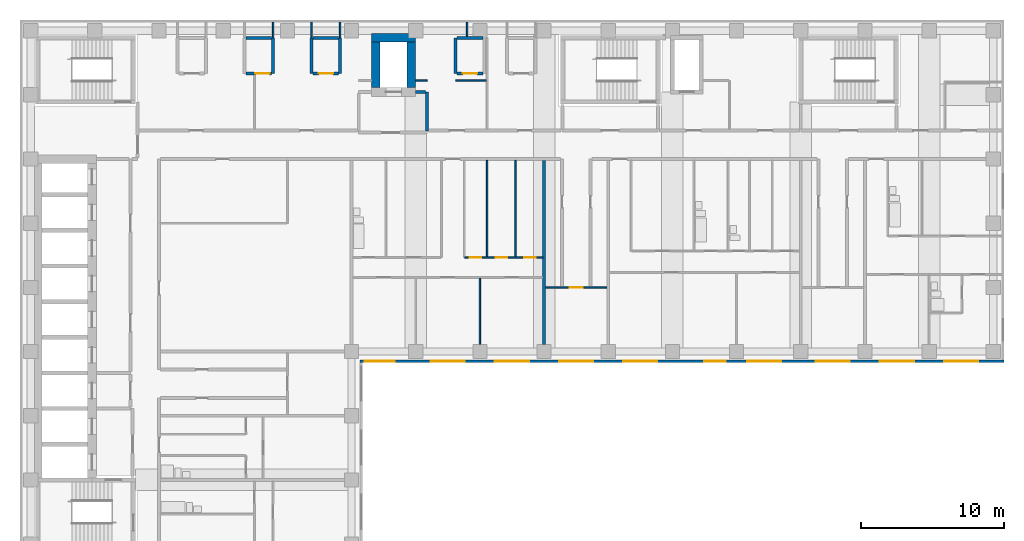
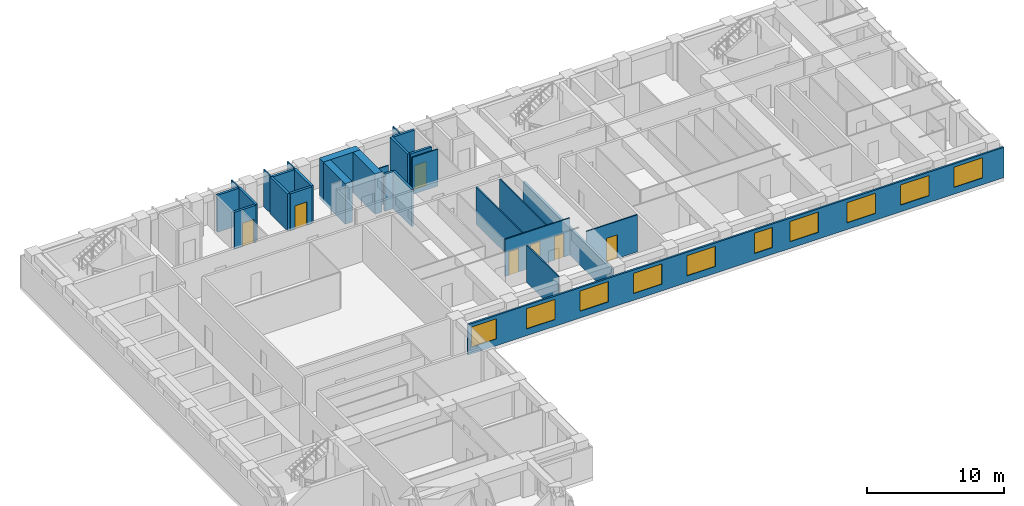
# One storey, part 6 of 11: 28 walls, 10 windows, 7 doors, 17 openings.
"""IFC4 building model written with IfcOpenShell, lengths in metres."""

from ifc_helpers import new_model, si_unit, direction, frame, frame_2d, origin, place, context, subcontext, project, spatial, rectangle, extrude, material, layer, layer_set, type_object, element, fill, save


model = new_model("IFC4")

# Units and contexts
model_context = context("Model", 3, precision=1e-05, world=origin(), true_north=direction((0.0, 1.0)))
body_context = subcontext(model_context, "Body", "Model", "MODEL_VIEW")
ifc_project = project(units=[si_unit("LENGTHUNIT", "METRE"), si_unit("AREAUNIT", "SQUARE_METRE"), si_unit("VOLUMEUNIT", "CUBIC_METRE"), si_unit("PLANEANGLEUNIT", "RADIAN"), si_unit("MASSUNIT", "GRAM", prefix="KILO")], contexts=[model_context])

# Site, building, storey
site_placement = place(None, origin())
site = spatial("IfcSite", under=ifc_project, at=site_placement, CompositionType="ELEMENT")
building_placement = place(site_placement, origin())
building = spatial("IfcBuilding", under=site, at=building_placement, Name="Firuza Court", CompositionType="ELEMENT")
storey_placement = place(building_placement, frame((0.0, 0.0, 134.0)))
storey = spatial("IfcBuildingStorey", under=building, at=storey_placement, Name="L33", CompositionType="ELEMENT", Elevation=134.0)

# Walls
ifc_material_1 = material(Name="Concrete C60/75", Category="concrete")
ifc_layer_1 = layer(ifc_material_1, 0.60009765625)
ifc_layer_set_1 = layer_set([ifc_layer_1], Name="Concrete C60/75")
wall_type_1 = type_object("IfcWallType", Name="Core wall 600 C60/75", PredefinedType="SHEAR", material=ifc_layer_set_1)
wall_1_placement = place(storey_placement, frame((23.89990234375, 58.0, -0.300048828125), z_axis=(0.0, 0.0, 1.0), x_axis=(1.0, 0.0, 0.0)))
element("IfcWall", 1, at=wall_1_placement, inside=storey, type_object=wall_type_1, Name="Core wall lift shaft L33", PredefinedType="SHEAR", context=body_context, shape_type="SweptSolid", body=[
    extrude(rectangle(XDim=3.10009765625, YDim=0.60009765625, at=frame_2d((1.550048828125, 0.0))), origin(), (0.0, 0.0, 1.0), 3.60009765625),
])
for number, where, z_axis, x_axis, name in (
    (2, (24.199951171875, 54.5, -0.300048828125), (0.0, 0.0, 1.0), (0.0, 1.0, 0.0), "Core wall lift shaft L33"),
    (3, (26.699951171875, 54.5, -0.300048828125), (0.0, 0.0, 1.0), (0.0, 1.0, 0.0), "Core wall lift shaft L33"),
):
    element("IfcWall", number, at=place(storey_placement, frame(where, z_axis=z_axis, x_axis=x_axis)), inside=storey, type_object=wall_type_1, Name=name, PredefinedType="SHEAR", context=body_context, shape_type="SweptSolid", body=[
        extrude(rectangle(XDim=3.199951171875, YDim=0.60009765625, at=frame_2d((1.60009765625, 0.0))), origin(), (0.0, 0.0, 1.0), 3.60009765625),
    ])
ifc_material_2 = material(Name="Timber stud partition, plasterboard both sides", Category="wood")
ifc_layer_2 = layer(ifc_material_2, 0.10009765625)
ifc_layer_set_2 = layer_set([ifc_layer_2], Name="Timber stud partition, plasterboard both sides")
wall_type_2 = type_object("IfcWallType", Name="Partition wall 100", PredefinedType="PARTITIONING", material=ifc_layer_set_2)
wall_2_placement = place(storey_placement, frame((31.5, 36.5, 0.0), z_axis=(0.0, 0.0, 1.0), x_axis=(0.0, 1.0, 0.0)))
element("IfcWall", 4, at=wall_2_placement, inside=storey, type_object=wall_type_2, Name="Partition wall 100 L33", PredefinedType="PARTITIONING", context=body_context, shape_type="SweptSolid", body=[
    extrude(rectangle(XDim=4.64990234375, YDim=0.10009765625, at=frame_2d((2.324951171875, 0.0))), origin(), (0.0, 0.0, 1.0), 3.300048828125),
])

# Wall, opening, door
wall_3_placement = place(storey_placement, frame((36.10009765625, 40.5, 0.0), z_axis=(0.0, 0.0, 1.0), x_axis=(1.0, 0.0, 0.0)))
wall_3 = element("IfcWall", 5, at=wall_3_placement, inside=storey, type_object=wall_type_2, Name="Partition wall 100 L33", PredefinedType="PARTITIONING", context=body_context, shape_type="SweptSolid", body=[
    extrude(rectangle(XDim=4.2998046875, YDim=0.10009765625, at=frame_2d((2.14990234375, 0.0))), origin(), (0.0, 0.0, 1.0), 3.300048828125),
])
opening_1_placement = place(wall_3_placement, frame((1.699951171875, 0.0, 0.0)))
opening_1 = element("IfcOpeningElement", 6, at=opening_1_placement, cuts=wall_3, Name="Opening D33039", PredefinedType="OPENING", context=body_context, shape_type="SweptSolid", body=[
    extrude(rectangle(XDim=0.89990234375, YDim=2.10009765625, at=frame_2d((0.449951171875, 1.050048828125))), frame((0.0, 0.06201171875, 0.0), z_axis=(0.0, -1.0, 0.0), x_axis=(1.0, 0.0, 0.0)), (0.0, 0.0, 1.0), 0.1240234375),
])
ifc_material_3 = material(Name="Timber door leaf in hardwood frame", Category="wood")
door_type_1 = type_object("IfcDoorType", Name="Room door 900", OperationType="SINGLE_SWING_LEFT", PredefinedType="DOOR", material=ifc_material_3)
door_1_placement = place(opening_1_placement, origin())
door_1 = element("IfcDoor", 7, at=door_1_placement, inside=storey, type_object=door_type_1, Name="Reading lounge door", OperationType="SINGLE_SWING_LEFT", OverallHeight=2.10009765625, OverallWidth=0.89990234375, PredefinedType="DOOR", context=body_context, shape_type="SweptSolid", body=[
    extrude(rectangle(XDim=0.89990234375, YDim=2.10009765625, at=frame_2d((0.449951171875, 1.050048828125))), frame((0.0, 0.02490234375, 0.0), z_axis=(0.0, -1.0, 0.0), x_axis=(1.0, 0.0, 0.0)), (0.0, 0.0, 1.0), 0.050048828125),
])
fill(opening_1, door_1)

# Wall, openings, doors
wall_4_placement = place(storey_placement, frame((30.449951171875, 42.60009765625, 0.0), z_axis=(0.0, 0.0, 1.0), x_axis=(1.0, 0.0, 0.0)))
wall_4 = element("IfcWall", 8, at=wall_4_placement, inside=storey, type_object=wall_type_2, Name="Partition wall 100 L33", PredefinedType="PARTITIONING", context=body_context, shape_type="SweptSolid", body=[
    extrude(rectangle(XDim=5.449951171875, YDim=0.10009765625, at=frame_2d((2.72509765625, 0.0))), origin(), (0.0, 0.0, 1.0), 3.300048828125),
])
opening_2_placement = place(wall_4_placement, frame((4.14990234375, 0.0, 0.0)))
opening_2 = element("IfcOpeningElement", 9, at=opening_2_placement, cuts=wall_4, Name="Opening D33054", PredefinedType="OPENING", context=body_context, shape_type="SweptSolid", body=[
    extrude(rectangle(XDim=0.800048828125, YDim=2.10009765625, at=frame_2d((0.39990234375, 1.050048828125))), frame((0.0, 0.06201171875, 0.0), z_axis=(0.0, -1.0, 0.0), x_axis=(1.0, 0.0, 0.0)), (0.0, 0.0, 1.0), 0.1240234375),
])
opening_3_placement = place(wall_4_placement, frame((0.35009765625, 0.0, 0.0)))
opening_3 = element("IfcOpeningElement", 10, at=opening_3_placement, cuts=wall_4, Name="Opening D33055", PredefinedType="OPENING", context=body_context, shape_type="SweptSolid", body=[
    extrude(rectangle(XDim=0.800048828125, YDim=2.10009765625, at=frame_2d((0.39990234375, 1.050048828125))), frame((0.0, 0.06201171875, 0.0), z_axis=(0.0, -1.0, 0.0), x_axis=(1.0, 0.0, 0.0)), (0.0, 0.0, 1.0), 0.1240234375),
])
opening_4_placement = place(wall_4_placement, frame((2.14990234375, 0.0, 0.0)))
opening_4 = element("IfcOpeningElement", 11, at=opening_4_placement, cuts=wall_4, Name="Opening D33056", PredefinedType="OPENING", context=body_context, shape_type="SweptSolid", body=[
    extrude(rectangle(XDim=0.800048828125, YDim=2.10009765625, at=frame_2d((0.39990234375, 1.050048828125))), frame((0.0, 0.06201171875, 0.0), z_axis=(0.0, -1.0, 0.0), x_axis=(1.0, 0.0, 0.0)), (0.0, 0.0, 1.0), 0.1240234375),
])
ifc_material_4 = material(Name="Timber door leaf in hardwood frame", Category="wood")
door_type_2 = type_object("IfcDoorType", Name="Room door 800", OperationType="SINGLE_SWING_LEFT", PredefinedType="DOOR", material=ifc_material_4)
door_2_placement = place(opening_2_placement, origin())
door_2 = element("IfcDoor", 12, at=door_2_placement, inside=storey, type_object=door_type_2, Name="Pantry door", OperationType="SINGLE_SWING_LEFT", OverallHeight=2.10009765625, OverallWidth=0.800048828125, PredefinedType="DOOR", context=body_context, shape_type="SweptSolid", body=[
    extrude(rectangle(XDim=0.800048828125, YDim=2.10009765625, at=frame_2d((0.39990234375, 1.050048828125))), frame((0.0, 0.02490234375, 0.0), z_axis=(0.0, -1.0, 0.0), x_axis=(1.0, 0.0, 0.0)), (0.0, 0.0, 1.0), 0.050048828125),
])
fill(opening_2, door_2)
door_3_placement = place(opening_3_placement, origin())
door_3 = element("IfcDoor", 13, at=door_3_placement, inside=storey, type_object=door_type_2, Name="Store door", OperationType="SINGLE_SWING_LEFT", OverallHeight=2.10009765625, OverallWidth=0.800048828125, PredefinedType="DOOR", context=body_context, shape_type="SweptSolid", body=[
    extrude(rectangle(XDim=0.800048828125, YDim=2.10009765625, at=frame_2d((0.39990234375, 1.050048828125))), frame((0.0, 0.02490234375, 0.0), z_axis=(0.0, -1.0, 0.0), x_axis=(1.0, 0.0, 0.0)), (0.0, 0.0, 1.0), 0.050048828125),
])
fill(opening_3, door_3)
door_4_placement = place(opening_4_placement, origin())
door_4 = element("IfcDoor", 14, at=door_4_placement, inside=storey, type_object=door_type_2, Name="Utility room door", OperationType="SINGLE_SWING_LEFT", OverallHeight=2.10009765625, OverallWidth=0.800048828125, PredefinedType="DOOR", context=body_context, shape_type="SweptSolid", body=[
    extrude(rectangle(XDim=0.800048828125, YDim=2.10009765625, at=frame_2d((0.39990234375, 1.050048828125))), frame((0.0, 0.02490234375, 0.0), z_axis=(0.0, -1.0, 0.0), x_axis=(1.0, 0.0, 0.0)), (0.0, 0.0, 1.0), 0.050048828125),
])
fill(opening_4, door_4)

# Walls
for number, where, z_axis, x_axis, name in (
    (15, (32.0, 42.64990234375, 0.0), (0.0, 0.0, 1.0), (0.0, 1.0, 0.0), "Partition wall 100 L33"),
    (16, (34.0, 42.64990234375, 0.0), (0.0, 0.0, 1.0), (0.0, 1.0, 0.0), "Partition wall 100 L33"),
):
    element("IfcWall", number, at=place(storey_placement, frame(where, z_axis=z_axis, x_axis=x_axis)), inside=storey, type_object=wall_type_2, Name=name, PredefinedType="PARTITIONING", context=body_context, shape_type="SweptSolid", body=[
        extrude(rectangle(XDim=6.75, YDim=0.10009765625, at=frame_2d((3.375, 0.0))), origin(), (0.0, 0.0, 1.0), 3.300048828125),
    ])
wall_5_placement = place(storey_placement, frame((27.0, 55.0, 0.0), z_axis=(0.0, 0.0, 1.0), x_axis=(1.0, 0.0, 0.0)))
element("IfcWall", 17, at=wall_5_placement, inside=storey, type_object=wall_type_2, Name="Partition wall 100 L33", PredefinedType="PARTITIONING", context=body_context, shape_type="SweptSolid", body=[
    extrude(rectangle(XDim=0.800048828125, YDim=0.10009765625, at=frame_2d((0.39990234375, 0.0))), origin(), (0.0, 0.0, 1.0), 3.300048828125),
])
wall_6_placement = place(storey_placement, frame((29.800048828125, 55.0, 0.0), z_axis=(0.0, 0.0, 1.0), x_axis=(1.0, 0.0, 0.0)))
element("IfcWall", 18, at=wall_6_placement, inside=storey, type_object=wall_type_2, Name="Partition wall 100 L33", PredefinedType="PARTITIONING", context=body_context, shape_type="SweptSolid", body=[
    extrude(rectangle(XDim=2.14990234375, YDim=0.10009765625, at=frame_2d((1.074951171875, 0.0))), origin(), (0.0, 0.0, 1.0), 3.300048828125),
])
for number, where, z_axis, x_axis, name in (
    (19, (17.0, 58.0, 0.0), (0.0, 0.0, 1.0), (0.0, 1.0, 0.0), "Partition wall 100 L33"),
    (20, (19.699951171875, 58.0, 0.0), (0.0, 0.0, 1.0), (0.0, 1.0, 0.0), "Partition wall 100 L33"),
    (21, (21.699951171875, 58.0, 0.0), (0.0, 0.0, 1.0), (0.0, 1.0, 0.0), "Partition wall 100 L33"),
):
    element("IfcWall", number, at=place(storey_placement, frame(where, z_axis=z_axis, x_axis=x_axis)), inside=storey, type_object=wall_type_2, Name=name, PredefinedType="PARTITIONING", context=body_context, shape_type="SweptSolid", body=[
        extrude(rectangle(XDim=1.10009765625, YDim=0.10009765625, at=frame_2d((0.550048828125, 0.0))), origin(), (0.0, 0.0, 1.0), 3.300048828125),
    ])
wall_7_placement = place(storey_placement, frame((30.60009765625, 58.10009765625, 0.0), z_axis=(0.0, 0.0, 1.0), x_axis=(0.0, 1.0, 0.0)))
element("IfcWall", 22, at=wall_7_placement, inside=storey, type_object=wall_type_2, Name="Partition wall 100 L33", PredefinedType="PARTITIONING", context=body_context, shape_type="SweptSolid", body=[
    extrude(rectangle(XDim=1.0, YDim=0.10009765625, at=frame_2d((0.5, 0.0))), origin(), (0.0, 0.0, 1.0), 3.300048828125),
])
ifc_material_5 = material(Name="Blockwork, plastered both sides", Category="masonry")
ifc_layer_3 = layer(ifc_material_5, 0.199951171875)
ifc_layer_set_3 = layer_set([ifc_layer_3], Name="Blockwork, plastered both sides")
wall_type_3 = type_object("IfcWallType", Name="Party wall 200", PredefinedType="PARTITIONING", material=ifc_layer_set_3)
wall_8_placement = place(storey_placement, frame((36.0, 36.5, 0.0), z_axis=(0.0, 0.0, 1.0), x_axis=(0.0, 1.0, 0.0)))
element("IfcWall", 23, at=wall_8_placement, inside=storey, type_object=wall_type_3, Name="Party wall 200 L33", PredefinedType="PARTITIONING", context=body_context, shape_type="SweptSolid", body=[
    extrude(rectangle(XDim=12.89990234375, YDim=0.199951171875, at=frame_2d((6.449951171875, 0.0))), origin(), (0.0, 0.0, 1.0), 2.39990234375),
])

# Wall, opening, door
ifc_material_6 = material(Name="Blockwork, fire-rated", Category="masonry")
ifc_layer_4 = layer(ifc_material_6, 0.199951171875)
ifc_layer_set_4 = layer_set([ifc_layer_4], Name="Blockwork, fire-rated")
wall_type_4 = type_object("IfcWallType", Name="Plant room wall 200", PredefinedType="PARTITIONING", material=ifc_layer_set_4)
wall_9_placement = place(storey_placement, frame((15.10009765625, 55.5, 0.0), z_axis=(0.0, 0.0, 1.0), x_axis=(1.0, 0.0, 0.0)))
wall_9 = element("IfcWall", 24, at=wall_9_placement, inside=storey, type_object=wall_type_4, Name="Plant room wall 200 L33", PredefinedType="PARTITIONING", context=body_context, shape_type="SweptSolid", body=[
    extrude(rectangle(XDim=1.7998046875, YDim=0.199951171875, at=frame_2d((0.89990234375, 0.0))), origin(), (0.0, 0.0, 1.0), 3.300048828125),
])
opening_5_placement = place(wall_9_placement, frame((0.64990234375, 0.0, 0.0)))
opening_5 = element("IfcOpeningElement", 25, at=opening_5_placement, cuts=wall_9, Name="Opening D33077", PredefinedType="OPENING", context=body_context, shape_type="SweptSolid", body=[
    extrude(rectangle(XDim=1.0, YDim=2.10009765625, at=frame_2d((0.5, 1.050048828125))), frame((0.0, 0.11181640625, 0.0), z_axis=(0.0, -1.0, 0.0), x_axis=(1.0, 0.0, 0.0)), (0.0, 0.0, 1.0), 0.223876953125),
])
ifc_material_7 = material(Name="Timber door leaf in hardwood frame", Category="wood")
door_type_3 = type_object("IfcDoorType", Name="Riser door 1000", OperationType="SINGLE_SWING_LEFT", PredefinedType="DOOR", material=ifc_material_7)
door_5_placement = place(opening_5_placement, origin())
door_5 = element("IfcDoor", 26, at=door_5_placement, inside=storey, type_object=door_type_3, Name="Electrical riser door", OperationType="SINGLE_SWING_RIGHT", OverallHeight=2.10009765625, OverallWidth=1.0, PredefinedType="DOOR", context=body_context, shape_type="SweptSolid", body=[
    extrude(rectangle(XDim=1.0, YDim=2.10009765625, at=frame_2d((0.5, 1.050048828125))), frame((0.0, 0.02490234375, 0.0), z_axis=(0.0, -1.0, 0.0), x_axis=(1.0, 0.0, 0.0)), (0.0, 0.0, 1.0), 0.050048828125),
])
fill(opening_5, door_5)

# Walls
for number, where, z_axis, x_axis, name in (
    (27, (17.0, 55.5, 0.0), (0.0, 0.0, 1.0), (0.0, 1.0, 0.0), "Plant room wall 200 L33"),
    (28, (19.699951171875, 55.5, 0.0), (0.0, 0.0, 1.0), (0.0, 1.0, 0.0), "Plant room wall 200 L33"),
):
    element("IfcWall", number, at=place(storey_placement, frame(where, z_axis=z_axis, x_axis=x_axis)), inside=storey, type_object=wall_type_4, Name=name, PredefinedType="PARTITIONING", context=body_context, shape_type="SweptSolid", body=[
        extrude(rectangle(XDim=2.5, YDim=0.199951171875, at=frame_2d((1.25, 0.0))), origin(), (0.0, 0.0, 1.0), 3.300048828125),
    ])

# Wall, opening, door
wall_10_placement = place(storey_placement, frame((19.800048828125, 55.5, 0.0), z_axis=(0.0, 0.0, 1.0), x_axis=(1.0, 0.0, 0.0)))
wall_10 = element("IfcWall", 29, at=wall_10_placement, inside=storey, type_object=wall_type_4, Name="Plant room wall 200 L33", PredefinedType="PARTITIONING", context=body_context, shape_type="SweptSolid", body=[
    extrude(rectangle(XDim=1.800048828125, YDim=0.199951171875, at=frame_2d((0.89990234375, 0.0))), origin(), (0.0, 0.0, 1.0), 3.300048828125),
])
opening_6_placement = place(wall_10_placement, frame((0.39990234375, 0.0, 0.0)))
opening_6 = element("IfcOpeningElement", 30, at=opening_6_placement, cuts=wall_10, Name="Opening D33078", PredefinedType="OPENING", context=body_context, shape_type="SweptSolid", body=[
    extrude(rectangle(XDim=1.0, YDim=2.10009765625, at=frame_2d((0.5, 1.050048828125))), frame((0.0, 0.11181640625, 0.0), z_axis=(0.0, -1.0, 0.0), x_axis=(1.0, 0.0, 0.0)), (0.0, 0.0, 1.0), 0.223876953125),
])
door_6_placement = place(opening_6_placement, origin())
door_6 = element("IfcDoor", 31, at=door_6_placement, inside=storey, type_object=door_type_3, Name="Duct riser door", OperationType="SINGLE_SWING_LEFT", OverallHeight=2.10009765625, OverallWidth=1.0, PredefinedType="DOOR", context=body_context, shape_type="SweptSolid", body=[
    extrude(rectangle(XDim=1.0, YDim=2.10009765625, at=frame_2d((0.5, 1.050048828125))), frame((0.0, 0.02490234375, 0.0), z_axis=(0.0, -1.0, 0.0), x_axis=(1.0, 0.0, 0.0)), (0.0, 0.0, 1.0), 0.050048828125),
])
fill(opening_6, door_6)

# Walls
for number, where, z_axis, x_axis, name in (
    (32, (21.699951171875, 55.5, 0.0), (0.0, 0.0, 1.0), (0.0, 1.0, 0.0), "Plant room wall 200 L33"),
    (33, (29.800048828125, 55.5, 0.0), (0.0, 0.0, 1.0), (0.0, 1.0, 0.0), "Plant room wall 200 L33"),
):
    element("IfcWall", number, at=place(storey_placement, frame(where, z_axis=z_axis, x_axis=x_axis)), inside=storey, type_object=wall_type_4, Name=name, PredefinedType="PARTITIONING", context=body_context, shape_type="SweptSolid", body=[
        extrude(rectangle(XDim=2.5, YDim=0.199951171875, at=frame_2d((1.25, 0.0))), origin(), (0.0, 0.0, 1.0), 3.300048828125),
    ])

# Wall, opening, door
wall_11_placement = place(storey_placement, frame((29.89990234375, 55.5, 0.0), z_axis=(0.0, 0.0, 1.0), x_axis=(1.0, 0.0, 0.0)))
wall_11 = element("IfcWall", 34, at=wall_11_placement, inside=storey, type_object=wall_type_4, Name="Plant room wall 200 L33", PredefinedType="PARTITIONING", context=body_context, shape_type="SweptSolid", body=[
    extrude(rectangle(XDim=1.800048828125, YDim=0.199951171875, at=frame_2d((0.89990234375, 0.0))), origin(), (0.0, 0.0, 1.0), 3.300048828125),
])
opening_7_placement = place(wall_11_placement, frame((0.39990234375, 0.0, 0.0)))
opening_7 = element("IfcOpeningElement", 35, at=opening_7_placement, cuts=wall_11, Name="Opening D33079", PredefinedType="OPENING", context=body_context, shape_type="SweptSolid", body=[
    extrude(rectangle(XDim=1.0, YDim=2.10009765625, at=frame_2d((0.5, 1.050048828125))), frame((0.0, 0.11181640625, 0.0), z_axis=(0.0, -1.0, 0.0), x_axis=(1.0, 0.0, 0.0)), (0.0, 0.0, 1.0), 0.223876953125),
])
door_7_placement = place(opening_7_placement, origin())
door_7 = element("IfcDoor", 36, at=door_7_placement, inside=storey, type_object=door_type_3, Name="Electrical riser door", OperationType="SINGLE_SWING_LEFT", OverallHeight=2.10009765625, OverallWidth=1.0, PredefinedType="DOOR", context=body_context, shape_type="SweptSolid", body=[
    extrude(rectangle(XDim=1.0, YDim=2.10009765625, at=frame_2d((0.5, 1.050048828125))), frame((0.0, 0.02490234375, 0.0), z_axis=(0.0, -1.0, 0.0), x_axis=(1.0, 0.0, 0.0)), (0.0, 0.0, 1.0), 0.050048828125),
])
fill(opening_7, door_7)

# Walls
wall_12_placement = place(storey_placement, frame((15.10009765625, 58.0, 0.0), z_axis=(0.0, 0.0, 1.0), x_axis=(1.0, 0.0, 0.0)))
element("IfcWall", 37, at=wall_12_placement, inside=storey, type_object=wall_type_4, Name="Plant room wall 200 L33", PredefinedType="PARTITIONING", context=body_context, shape_type="SweptSolid", body=[
    extrude(rectangle(XDim=1.7998046875, YDim=0.199951171875, at=frame_2d((0.89990234375, 0.0))), origin(), (0.0, 0.0, 1.0), 3.300048828125),
])
for number, where, z_axis, x_axis, name in (
    (38, (19.800048828125, 58.0, 0.0), (0.0, 0.0, 1.0), (1.0, 0.0, 0.0), "Plant room wall 200 L33"),
    (39, (29.89990234375, 58.0, 0.0), (0.0, 0.0, 1.0), (1.0, 0.0, 0.0), "Plant room wall 200 L33"),
):
    element("IfcWall", number, at=place(storey_placement, frame(where, z_axis=z_axis, x_axis=x_axis)), inside=storey, type_object=wall_type_4, Name=name, PredefinedType="PARTITIONING", context=body_context, shape_type="SweptSolid", body=[
        extrude(rectangle(XDim=1.800048828125, YDim=0.199951171875, at=frame_2d((0.89990234375, 0.0))), origin(), (0.0, 0.0, 1.0), 3.300048828125),
    ])

# Wall, openings, windows
ifc_material_8 = material(Name="Ceramic tile", Category="ceramic")
ifc_layer_5 = layer(ifc_material_8, 0.02001953125)
ifc_material_9 = material(Name="Mineral wool insulation", Category="insulation")
ifc_layer_6 = layer(ifc_material_9, 0.050048828125)
ifc_material_10 = material(Name="Concrete C40/50 precast", Category="concrete")
ifc_layer_7 = layer(ifc_material_10, 0.080078125)
ifc_layer_set_5 = layer_set([ifc_layer_5, ifc_layer_6, ifc_layer_7], Name="Concrete C40/50 precast")
wall_type_5 = type_object("IfcWallType", Name="Precast cladding wall with turquoise TILE PANEL face 150", PredefinedType="STANDARD", material=ifc_layer_set_5)
wall_13_placement = place(storey_placement, frame((23.10009765625, 35.324951171875, 0.0), z_axis=(0.0, 0.0, 1.0), x_axis=(1.0, 0.0, 0.0)))
wall_13 = element("IfcWall", 40, at=wall_13_placement, inside=storey, type_object=wall_type_5, Name="Facade wall L33 S", PredefinedType="STANDARD", context=body_context, shape_type="SweptSolid", body=[
    extrude(rectangle(XDim=45.14990234375, YDim=0.14990234375, at=frame_2d((22.574951171875, 0.0))), origin(), (0.0, 0.0, 1.0), 2.699951171875),
])
opening_8_placement = place(wall_13_placement, frame((0.311767578125, 0.0, 0.60009765625)))
opening_8 = element("IfcOpeningElement", 41, at=opening_8_placement, cuts=wall_13, Name="Opening W6", PredefinedType="OPENING", context=body_context, shape_type="SweptSolid", body=[
    extrude(rectangle(XDim=2.10009765625, YDim=1.800048828125, at=frame_2d((1.050048828125, 0.89990234375))), frame((0.0, 0.0869140625, 0.0), z_axis=(0.0, -1.0, 0.0), x_axis=(1.0, 0.0, 0.0)), (0.0, 0.0, 1.0), 0.173828125),
])
opening_9_placement = place(wall_13_placement, frame((4.949951171875, 0.0, 0.60009765625)))
opening_9 = element("IfcOpeningElement", 42, at=opening_9_placement, cuts=wall_13, Name="Opening W1", PredefinedType="OPENING", context=body_context, shape_type="SweptSolid", body=[
    extrude(rectangle(XDim=2.39990234375, YDim=1.800048828125, at=frame_2d((1.199951171875, 0.89990234375))), frame((0.0, 0.0869140625, 0.0), z_axis=(0.0, -1.0, 0.0), x_axis=(1.0, 0.0, 0.0)), (0.0, 0.0, 1.0), 0.173828125),
])
opening_10_placement = place(wall_13_placement, frame((9.449951171875, 0.0, 0.60009765625)))
opening_10 = element("IfcOpeningElement", 43, at=opening_10_placement, cuts=wall_13, Name="Opening W1", PredefinedType="OPENING", context=body_context, shape_type="SweptSolid", body=[
    extrude(rectangle(XDim=2.39990234375, YDim=1.800048828125, at=frame_2d((1.199951171875, 0.89990234375))), frame((0.0, 0.0869140625, 0.0), z_axis=(0.0, -1.0, 0.0), x_axis=(1.0, 0.0, 0.0)), (0.0, 0.0, 1.0), 0.173828125),
])
opening_11_placement = place(wall_13_placement, frame((13.949951171875, 0.0, 0.60009765625)))
opening_11 = element("IfcOpeningElement", 44, at=opening_11_placement, cuts=wall_13, Name="Opening W1", PredefinedType="OPENING", context=body_context, shape_type="SweptSolid", body=[
    extrude(rectangle(XDim=2.39990234375, YDim=1.800048828125, at=frame_2d((1.199951171875, 0.89990234375))), frame((0.0, 0.0869140625, 0.0), z_axis=(0.0, -1.0, 0.0), x_axis=(1.0, 0.0, 0.0)), (0.0, 0.0, 1.0), 0.173828125),
])
opening_12_placement = place(wall_13_placement, frame((18.449951171875, 0.0, 0.60009765625)))
opening_12 = element("IfcOpeningElement", 45, at=opening_12_placement, cuts=wall_13, Name="Opening W1", PredefinedType="OPENING", context=body_context, shape_type="SweptSolid", body=[
    extrude(rectangle(XDim=2.39990234375, YDim=1.800048828125, at=frame_2d((1.199951171875, 0.89990234375))), frame((0.0, 0.0869140625, 0.0), z_axis=(0.0, -1.0, 0.0), x_axis=(1.0, 0.0, 0.0)), (0.0, 0.0, 1.0), 0.173828125),
])
opening_13_placement = place(wall_13_placement, frame((24.146484375, 0.0, 0.60009765625)))
opening_13 = element("IfcOpeningElement", 46, at=opening_13_placement, cuts=wall_13, Name="Opening W2", PredefinedType="OPENING", context=body_context, shape_type="SweptSolid", body=[
    extrude(rectangle(XDim=1.5, YDim=1.800048828125, at=frame_2d((0.75, 0.89990234375))), frame((0.0, 0.0869140625, 0.0), z_axis=(0.0, -1.0, 0.0), x_axis=(1.0, 0.0, 0.0)), (0.0, 0.0, 1.0), 0.173828125),
])
opening_14_placement = place(wall_13_placement, frame((27.130615234375, 0.0, 0.60009765625)))
opening_14 = element("IfcOpeningElement", 47, at=opening_14_placement, cuts=wall_13, Name="Opening W1", PredefinedType="OPENING", context=body_context, shape_type="SweptSolid", body=[
    extrude(rectangle(XDim=2.39990234375, YDim=1.800048828125, at=frame_2d((1.199951171875, 0.89990234375))), frame((0.0, 0.0869140625, 0.0), z_axis=(0.0, -1.0, 0.0), x_axis=(1.0, 0.0, 0.0)), (0.0, 0.0, 1.0), 0.173828125),
])
opening_15_placement = place(wall_13_placement, frame((31.949951171875, 0.0, 0.60009765625)))
opening_15 = element("IfcOpeningElement", 48, at=opening_15_placement, cuts=wall_13, Name="Opening W1", PredefinedType="OPENING", context=body_context, shape_type="SweptSolid", body=[
    extrude(rectangle(XDim=2.39990234375, YDim=1.800048828125, at=frame_2d((1.199951171875, 0.89990234375))), frame((0.0, 0.0869140625, 0.0), z_axis=(0.0, -1.0, 0.0), x_axis=(1.0, 0.0, 0.0)), (0.0, 0.0, 1.0), 0.173828125),
])
opening_16_placement = place(wall_13_placement, frame((36.449951171875, 0.0, 0.60009765625)))
opening_16 = element("IfcOpeningElement", 49, at=opening_16_placement, cuts=wall_13, Name="Opening W1", PredefinedType="OPENING", context=body_context, shape_type="SweptSolid", body=[
    extrude(rectangle(XDim=2.39990234375, YDim=1.800048828125, at=frame_2d((1.199951171875, 0.89990234375))), frame((0.0, 0.0869140625, 0.0), z_axis=(0.0, -1.0, 0.0), x_axis=(1.0, 0.0, 0.0)), (0.0, 0.0, 1.0), 0.173828125),
])
opening_17_placement = place(wall_13_placement, frame((40.949951171875, 0.0, 0.60009765625)))
opening_17 = element("IfcOpeningElement", 50, at=opening_17_placement, cuts=wall_13, Name="Opening W1", PredefinedType="OPENING", context=body_context, shape_type="SweptSolid", body=[
    extrude(rectangle(XDim=2.39990234375, YDim=1.800048828125, at=frame_2d((1.199951171875, 0.89990234375))), frame((0.0, 0.0869140625, 0.0), z_axis=(0.0, -1.0, 0.0), x_axis=(1.0, 0.0, 0.0)), (0.0, 0.0, 1.0), 0.173828125),
])
ifc_material_11 = material(Name="Aluminium frame, triple clear glazing", Category="aluminium")
window_type_1 = type_object("IfcWindowType", Name="Window W1 2400 x 1800", PartitioningType="SINGLE_PANEL", PredefinedType="WINDOW", material=ifc_material_11)
window_1_placement = place(opening_9_placement, origin())
window_1 = element("IfcWindow", 51, at=window_1_placement, inside=storey, type_object=window_type_1, Name="Window L33", OverallHeight=1.800048828125, OverallWidth=2.39990234375, PartitioningType="SINGLE_PANEL", PredefinedType="WINDOW", context=body_context, shape_type="SweptSolid", body=[
    extrude(rectangle(XDim=2.39990234375, YDim=1.800048828125, at=frame_2d((1.199951171875, 0.89990234375))), frame((0.0, 0.030029296875, 0.0), z_axis=(0.0, -1.0, 0.0), x_axis=(1.0, 0.0, 0.0)), (0.0, 0.0, 1.0), 0.06005859375),
])
fill(opening_9, window_1)
window_2_placement = place(opening_10_placement, origin())
window_2 = element("IfcWindow", 52, at=window_2_placement, inside=storey, type_object=window_type_1, Name="Window L33", OverallHeight=1.800048828125, OverallWidth=2.39990234375, PartitioningType="SINGLE_PANEL", PredefinedType="WINDOW", context=body_context, shape_type="SweptSolid", body=[
    extrude(rectangle(XDim=2.39990234375, YDim=1.800048828125, at=frame_2d((1.199951171875, 0.89990234375))), frame((0.0, 0.030029296875, 0.0), z_axis=(0.0, -1.0, 0.0), x_axis=(1.0, 0.0, 0.0)), (0.0, 0.0, 1.0), 0.06005859375),
])
fill(opening_10, window_2)
window_3_placement = place(opening_11_placement, origin())
window_3 = element("IfcWindow", 53, at=window_3_placement, inside=storey, type_object=window_type_1, Name="Window L33", OverallHeight=1.800048828125, OverallWidth=2.39990234375, PartitioningType="SINGLE_PANEL", PredefinedType="WINDOW", context=body_context, shape_type="SweptSolid", body=[
    extrude(rectangle(XDim=2.39990234375, YDim=1.800048828125, at=frame_2d((1.199951171875, 0.89990234375))), frame((0.0, 0.030029296875, 0.0), z_axis=(0.0, -1.0, 0.0), x_axis=(1.0, 0.0, 0.0)), (0.0, 0.0, 1.0), 0.06005859375),
])
fill(opening_11, window_3)
window_4_placement = place(opening_12_placement, origin())
window_4 = element("IfcWindow", 54, at=window_4_placement, inside=storey, type_object=window_type_1, Name="Window L33", OverallHeight=1.800048828125, OverallWidth=2.39990234375, PartitioningType="SINGLE_PANEL", PredefinedType="WINDOW", context=body_context, shape_type="SweptSolid", body=[
    extrude(rectangle(XDim=2.39990234375, YDim=1.800048828125, at=frame_2d((1.199951171875, 0.89990234375))), frame((0.0, 0.030029296875, 0.0), z_axis=(0.0, -1.0, 0.0), x_axis=(1.0, 0.0, 0.0)), (0.0, 0.0, 1.0), 0.06005859375),
])
fill(opening_12, window_4)
window_5_placement = place(opening_14_placement, origin())
window_5 = element("IfcWindow", 55, at=window_5_placement, inside=storey, type_object=window_type_1, Name="Window L33", OverallHeight=1.800048828125, OverallWidth=2.39990234375, PartitioningType="SINGLE_PANEL", PredefinedType="WINDOW", context=body_context, shape_type="SweptSolid", body=[
    extrude(rectangle(XDim=2.39990234375, YDim=1.800048828125, at=frame_2d((1.199951171875, 0.89990234375))), frame((0.0, 0.030029296875, 0.0), z_axis=(0.0, -1.0, 0.0), x_axis=(1.0, 0.0, 0.0)), (0.0, 0.0, 1.0), 0.06005859375),
])
fill(opening_14, window_5)
window_6_placement = place(opening_15_placement, origin())
window_6 = element("IfcWindow", 56, at=window_6_placement, inside=storey, type_object=window_type_1, Name="Window L33", OverallHeight=1.800048828125, OverallWidth=2.39990234375, PartitioningType="SINGLE_PANEL", PredefinedType="WINDOW", context=body_context, shape_type="SweptSolid", body=[
    extrude(rectangle(XDim=2.39990234375, YDim=1.800048828125, at=frame_2d((1.199951171875, 0.89990234375))), frame((0.0, 0.030029296875, 0.0), z_axis=(0.0, -1.0, 0.0), x_axis=(1.0, 0.0, 0.0)), (0.0, 0.0, 1.0), 0.06005859375),
])
fill(opening_15, window_6)
window_7_placement = place(opening_16_placement, origin())
window_7 = element("IfcWindow", 57, at=window_7_placement, inside=storey, type_object=window_type_1, Name="Window L33", OverallHeight=1.800048828125, OverallWidth=2.39990234375, PartitioningType="SINGLE_PANEL", PredefinedType="WINDOW", context=body_context, shape_type="SweptSolid", body=[
    extrude(rectangle(XDim=2.39990234375, YDim=1.800048828125, at=frame_2d((1.199951171875, 0.89990234375))), frame((0.0, 0.030029296875, 0.0), z_axis=(0.0, -1.0, 0.0), x_axis=(1.0, 0.0, 0.0)), (0.0, 0.0, 1.0), 0.06005859375),
])
fill(opening_16, window_7)
window_8_placement = place(opening_17_placement, origin())
window_8 = element("IfcWindow", 58, at=window_8_placement, inside=storey, type_object=window_type_1, Name="Window L33", OverallHeight=1.800048828125, OverallWidth=2.39990234375, PartitioningType="SINGLE_PANEL", PredefinedType="WINDOW", context=body_context, shape_type="SweptSolid", body=[
    extrude(rectangle(XDim=2.39990234375, YDim=1.800048828125, at=frame_2d((1.199951171875, 0.89990234375))), frame((0.0, 0.030029296875, 0.0), z_axis=(0.0, -1.0, 0.0), x_axis=(1.0, 0.0, 0.0)), (0.0, 0.0, 1.0), 0.06005859375),
])
fill(opening_17, window_8)
ifc_material_12 = material(Name="Aluminium frame, triple clear glazing", Category="aluminium")
window_type_2 = type_object("IfcWindowType", Name="Window W2 1500 x 1800", PartitioningType="SINGLE_PANEL", PredefinedType="WINDOW", material=ifc_material_12)
window_9_placement = place(opening_13_placement, origin())
window_9 = element("IfcWindow", 59, at=window_9_placement, inside=storey, type_object=window_type_2, Name="Window L33", OverallHeight=1.800048828125, OverallWidth=1.5, PartitioningType="SINGLE_PANEL", PredefinedType="WINDOW", context=body_context, shape_type="SweptSolid", body=[
    extrude(rectangle(XDim=1.5, YDim=1.800048828125, at=frame_2d((0.75, 0.89990234375))), frame((0.0, 0.030029296875, 0.0), z_axis=(0.0, -1.0, 0.0), x_axis=(1.0, 0.0, 0.0)), (0.0, 0.0, 1.0), 0.06005859375),
])
fill(opening_13, window_9)
ifc_material_13 = material(Name="Aluminium frame, triple clear glazing", Category="aluminium")
window_type_3 = type_object("IfcWindowType", Name="Window W6 2100 x 1800", PartitioningType="SINGLE_PANEL", PredefinedType="WINDOW", material=ifc_material_13)
window_10_placement = place(opening_8_placement, origin())
window_10 = element("IfcWindow", 60, at=window_10_placement, inside=storey, type_object=window_type_3, Name="Window L33", OverallHeight=1.800048828125, OverallWidth=2.10009765625, PartitioningType="SINGLE_PANEL", PredefinedType="WINDOW", context=body_context, shape_type="SweptSolid", body=[
    extrude(rectangle(XDim=2.10009765625, YDim=1.800048828125, at=frame_2d((1.050048828125, 0.89990234375))), frame((0.0, 0.030029296875, 0.0), z_axis=(0.0, -1.0, 0.0), x_axis=(1.0, 0.0, 0.0)), (0.0, 0.0, 1.0), 0.06005859375),
])
fill(opening_8, window_10)

# Walls
ifc_layer_8 = layer(ifc_material_6, 0.199951171875)
ifc_layer_set_6 = layer_set([ifc_layer_8], Name="Blockwork, fire-rated")
wall_type_6 = type_object("IfcWallType", Name="Shaft wall 200", PredefinedType="PARTITIONING", material=ifc_layer_set_6)
wall_14_placement = place(storey_placement, frame((27.800048828125, 51.449951171875, 0.0), z_axis=(0.0, 0.0, 1.0), x_axis=(0.0, 1.0, 0.0)))
element("IfcWall", 61, at=wall_14_placement, inside=storey, type_object=wall_type_6, Name="Shaft wall 200 L33", PredefinedType="PARTITIONING", context=body_context, shape_type="SweptSolid", body=[
    extrude(rectangle(XDim=2.75, YDim=0.199951171875, at=frame_2d((1.375, 0.0))), origin(), (0.0, 0.0, 1.0), 3.300048828125),
])
wall_15_placement = place(storey_placement, frame((27.0, 54.199951171875, 0.0), z_axis=(0.0, 0.0, 1.0), x_axis=(1.0, 0.0, 0.0)))
element("IfcWall", 62, at=wall_15_placement, inside=storey, type_object=wall_type_6, Name="Shaft wall 200 L33", PredefinedType="PARTITIONING", context=body_context, shape_type="SweptSolid", body=[
    extrude(rectangle(XDim=0.699951171875, YDim=0.199951171875, at=frame_2d((0.35009765625, 0.0))), origin(), (0.0, 0.0, 1.0), 3.300048828125),
])

save(model, "model.ifc")
